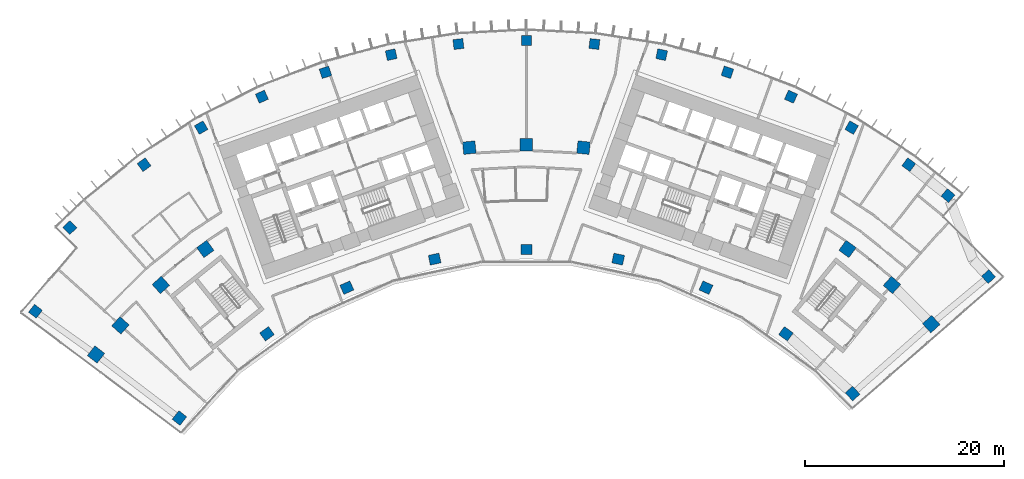
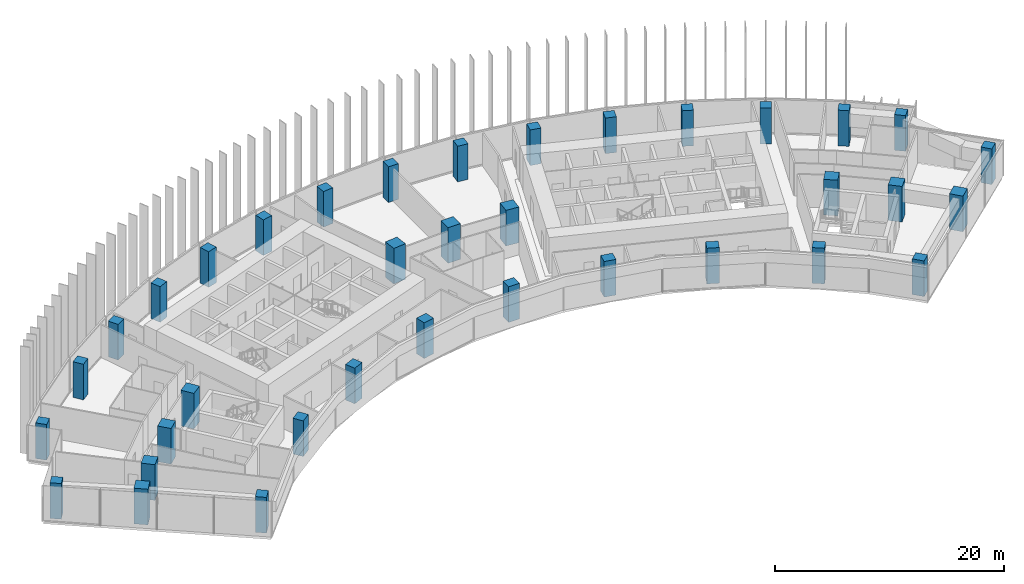
# One storey, part 1 of 23: 36 columns.
"""IFC4 building model written with IfcOpenShell, lengths in metres."""

from ifc_helpers import new_model, si_unit, direction, frame, origin, origin_2d, place, context, subcontext, project, spatial, rectangle, extrude, material, material_profile, profile_set, type_object, element, save


model = new_model("IFC4")

# Units and contexts
model_context = context("Model", 3, precision=1e-05, world=origin(), true_north=direction((0.0, 1.0)))
body_context = subcontext(model_context, "Body", "Model", "MODEL_VIEW")
ifc_project = project(units=[si_unit("LENGTHUNIT", "METRE"), si_unit("AREAUNIT", "SQUARE_METRE"), si_unit("VOLUMEUNIT", "CUBIC_METRE"), si_unit("PLANEANGLEUNIT", "RADIAN"), si_unit("MASSUNIT", "GRAM", prefix="KILO")], contexts=[model_context])

# Site, building, storey
site_placement = place(None, origin())
site = spatial("IfcSite", under=ifc_project, at=site_placement, CompositionType="ELEMENT")
building_placement = place(site_placement, origin())
building = spatial("IfcBuilding", under=site, at=building_placement, Name="Stone Belt Terrace Tower", CompositionType="ELEMENT")
storey_placement = place(building_placement, frame((0.0, 0.0, 178.199951171875)))
storey = spatial("IfcBuildingStorey", under=building, at=storey_placement, Name="L43", CompositionType="ELEMENT", Elevation=178.199951171875)

# Columns
ifc_material = material(Name="Concrete B80", Category="concrete")
ifc_material_profile_1 = material_profile(ifc_material, rectangle(XDim=1.0, YDim=1.0, at=origin_2d()), Name="RC 1000x1000")
ifc_profile_set_1 = profile_set([ifc_material_profile_1], Name="Concrete B80")
column_type_1 = type_object("IfcColumnType", Name="Column RC 1000x1000 B80", PredefinedType="COLUMN", material=ifc_profile_set_1)
for number, where, z_axis, x_axis, name in (
    (1, (-49.432861328125, 38.226318359375, 0.0), (0.0, 0.0, 1.0), (0.611730019057, 0.791066611472, 0.0), "Column L43 RA"),
    (2, (46.5244140625, 41.71728515625, 0.0), (0.0, 0.0, 1.0), (0.667594791836, -0.744524810811, 0.0), "Column L43 RB"),
    (3, (-45.95849609375, 46.654296875, 0.0), (0.0, 0.0, 1.0), (0.712398494182, 0.701775167334, 0.0), "Column L43 RNA"),
    (4, (-38.493408203125, 52.981689453125, 0.0), (0.0, 0.0, 1.0), (0.809016994375, 0.587785252292, 0.0), "Column L43 R16"),
    (5, (-32.744384765625, 56.715087890625, 0.0), (0.0, 0.0, 1.0), (0.866025403784, 0.5, 0.0), "Column L43 R17"),
    (6, (-26.63671875, 59.8271484375, 0.0), (0.0, 0.0, 1.0), (0.913545457643, 0.406736643076, 0.0), "Column L43 R18"),
    (7, (-20.2373046875, 62.28369140625, 0.0), (0.0, 0.0, 1.0), (0.951056516295, 0.309016994375, 0.0), "Column L43 R19"),
    (8, (-13.615966796875, 64.057861328125, 0.0), (0.0, 0.0, 1.0), (0.978147600734, 0.207911690818, 0.0), "Column L43 R20"),
    (9, (-6.845458984375, 65.130126953125, 0.0), (0.0, 0.0, 1.0), (0.994521895368, 0.104528463268, 0.0), "Column L43 R21"),
    (10, (0.0, 65.489013671875, 0.0), (0.0, 0.0, 1.0), (1.0, 0.0, 0.0), "Column L43 R22"),
    (11, (6.845458984375, 65.130126953125, 0.0), (0.0, 0.0, 1.0), (0.994521895368, -0.104528463268, 0.0), "Column L43 R23"),
    (12, (13.615966796875, 64.057861328125, 0.0), (0.0, 0.0, 1.0), (0.978147600734, -0.207911690818, 0.0), "Column L43 R24"),
    (13, (20.2373046875, 62.28369140625, 0.0), (0.0, 0.0, 1.0), (0.951056516295, -0.309016994375, 0.0), "Column L43 R25"),
    (14, (26.63671875, 59.8271484375, 0.0), (0.0, 0.0, 1.0), (0.913545457643, -0.406736643076, 0.0), "Column L43 R26"),
    (15, (32.744384765625, 56.715087890625, 0.0), (0.0, 0.0, 1.0), (0.866025403784, -0.5, 0.0), "Column L43 R27"),
    (16, (38.493408203125, 52.981689453125, 0.0), (0.0, 0.0, 1.0), (0.809016994375, -0.587785252292, 0.0), "Column L43 R28"),
    (17, (42.447021484375, 49.870361328125, 0.0), (0.0, 0.0, 1.0), (0.761508896004, -0.648154457908, 0.0), "Column L43 RNB"),
):
    element("IfcColumn", number, at=place(storey_placement, frame(where, z_axis=z_axis, x_axis=x_axis)), inside=storey, type_object=column_type_1, Name=name, PredefinedType="COLUMN", context=body_context, shape_type="SweptSolid", body=[
        extrude(rectangle(XDim=1.0, YDim=1.0, at=origin_2d()), origin(), (0.0, 0.0, 1.0), 3.800048828125),
    ])
ifc_material_profile_2 = material_profile(ifc_material, rectangle(XDim=1.10009765625, YDim=1.0, at=origin_2d()), Name="RC 1100x1000")
ifc_profile_set_2 = profile_set([ifc_material_profile_2], Name="Concrete B80")
column_type_2 = type_object("IfcColumnType", Name="Column RC 1100x1000 B80", PredefinedType="COLUMN", material=ifc_profile_set_2)
for number, where, z_axis, x_axis, name in (
    (18, (-34.93408203125, 27.476806640625, 0.0), (0.0, 0.0, 1.0), (0.618217727677, 0.786006896399, 0.0), "Column L43 PA"),
    (19, (-26.1240234375, 35.956787109375, 0.0), (0.0, 0.0, 1.0), (0.809016994375, 0.587785252292, 0.0), "Column L43 P16"),
    (20, (-18.077392578125, 40.6025390625, 0.0), (0.0, 0.0, 1.0), (0.913545457643, 0.406736643076, 0.0), "Column L43 P18"),
    (21, (-9.240478515625, 43.473876953125, 0.0), (0.0, 0.0, 1.0), (0.978147600734, 0.207911690818, 0.0), "Column L43 P20"),
    (22, (0.0, 44.445068359375, 0.0), (0.0, 0.0, 1.0), (1.0, 0.0, 0.0), "Column L43 P22"),
    (23, (9.240478515625, 43.473876953125, 0.0), (0.0, 0.0, 1.0), (0.978147600734, -0.207911690818, 0.0), "Column L43 P24"),
    (24, (18.077392578125, 40.6025390625, 0.0), (0.0, 0.0, 1.0), (0.913545457643, -0.406736643076, 0.0), "Column L43 P26"),
    (25, (26.1240234375, 35.956787109375, 0.0), (0.0, 0.0, 1.0), (0.809016994375, -0.587785252292, 0.0), "Column L43 P28"),
    (26, (32.84521484375, 29.9423828125, 0.0), (0.0, 0.0, 1.0), (0.673697692172, -0.739007049738, 0.0), "Column L43 PB"),
):
    element("IfcColumn", number, at=place(storey_placement, frame(where, z_axis=z_axis, x_axis=x_axis)), inside=storey, type_object=column_type_2, Name=name, PredefinedType="COLUMN", context=body_context, shape_type="SweptSolid", body=[
        extrude(rectangle(XDim=1.10009765625, YDim=1.0, at=origin_2d()), origin(), (0.0, 0.0, 1.0), 3.800048828125),
    ])
ifc_material_profile_3 = material_profile(ifc_material, rectangle(XDim=1.25, YDim=1.25, at=origin_2d()), Name="RC 1250x1250")
ifc_profile_set_3 = profile_set([ifc_material_profile_3], Name="Concrete B80")
column_type_3 = type_object("IfcColumnType", Name="Column RC 1250x1250 B80", PredefinedType="COLUMN", material=ifc_profile_set_3)
for number, where, z_axis, x_axis, name in (
    (27, (-43.33349609375, 33.870361328125, 0.0), (0.0, 0.0, 1.0), (0.615825127294, 0.787882867306, 0.0), "Column L43 QA"),
    (28, (-40.873046875, 36.80224609375, 0.0), (0.0, 0.0, 1.0), (0.669130606359, 0.743144825477, 0.0), "Column L43 Q14"),
    (29, (-36.80224609375, 40.873046875, 0.0), (0.0, 0.0, 1.0), (0.743144825477, 0.669130606359, 0.0), "Column L43 Q15"),
    (30, (-32.328125, 44.495849609375, 0.0), (0.0, 0.0, 1.0), (0.809016994375, 0.587785252292, 0.0), "Column L43 Q16"),
    (31, (-5.7490234375, 54.69873046875, 0.0), (0.0, 0.0, 1.0), (0.994521895368, 0.104528463268, 0.0), "Column L43 Q21"),
    (32, (0.0, 55.0, 0.0), (0.0, 0.0, 1.0), (1.0, 0.0, 0.0), "Column L43 Q22"),
    (33, (5.7490234375, 54.69873046875, 0.0), (0.0, 0.0, 1.0), (0.994521895368, -0.104528463268, 0.0), "Column L43 Q23"),
    (34, (32.328125, 44.495849609375, 0.0), (0.0, 0.0, 1.0), (0.809016994375, -0.587785252292, 0.0), "Column L43 Q28"),
    (35, (36.80224609375, 40.873046875, 0.0), (0.0, 0.0, 1.0), (0.743144825477, -0.669130606359, 0.0), "Column L43 Q29"),
    (36, (40.7578125, 36.9296875, 0.0), (0.0, 0.0, 1.0), (0.671447731767, -0.741051916876, 0.0), "Column L43 QB"),
):
    element("IfcColumn", number, at=place(storey_placement, frame(where, z_axis=z_axis, x_axis=x_axis)), inside=storey, type_object=column_type_3, Name=name, PredefinedType="COLUMN", context=body_context, shape_type="SweptSolid", body=[
        extrude(rectangle(XDim=1.25, YDim=1.25, at=origin_2d()), origin(), (0.0, 0.0, 1.0), 3.800048828125),
    ])

save(model, "model.ifc")
